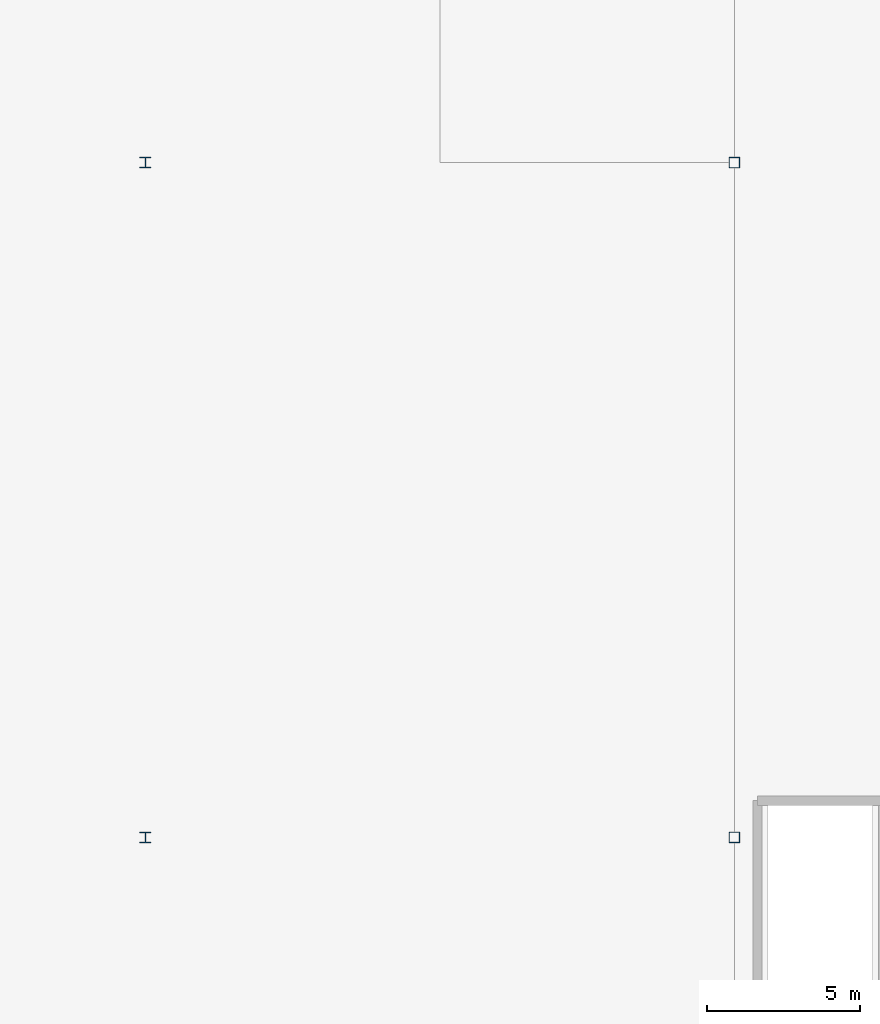
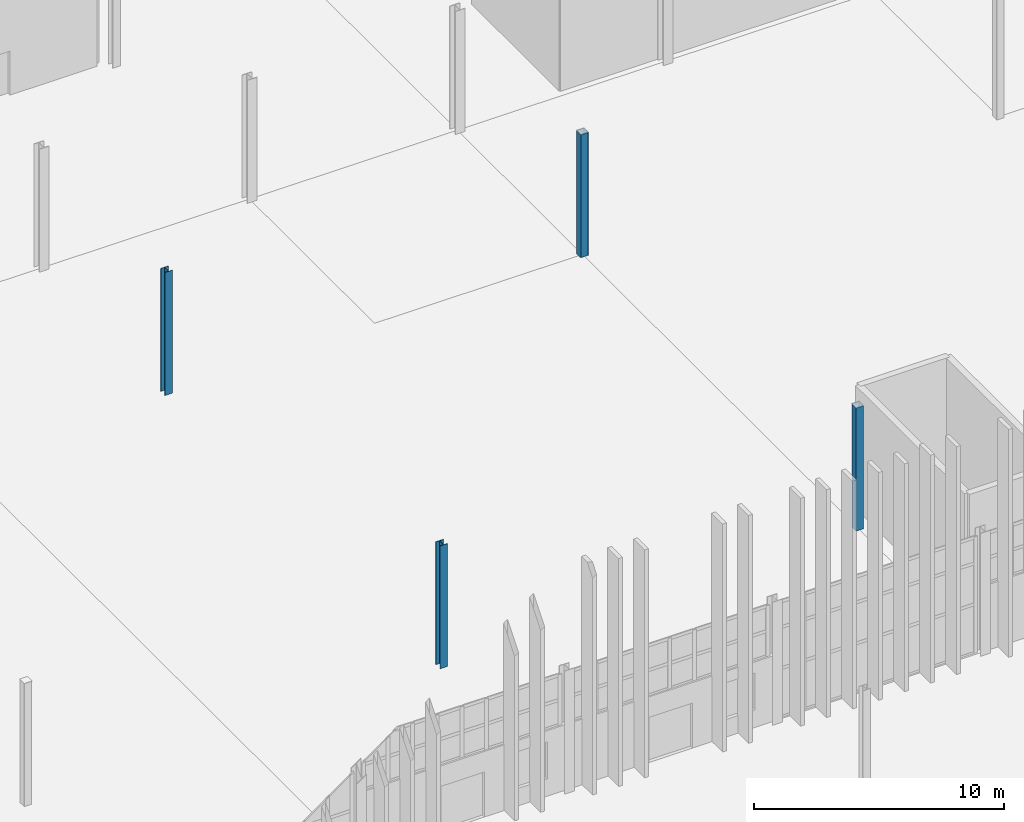
# One storey, part 12 of 139: 4 columns.
"""IFC4 building model written with IfcOpenShell, lengths in metres."""

from ifc_helpers import new_model, si_unit, direction, frame, origin, origin_2d, place, context, subcontext, project, spatial, hollow_rectangle, i_section, extrude, material, material_profile, profile_set, type_object, element, save


model = new_model("IFC4")

# Units and contexts
model_context = context("Model", 3, precision=1e-05, world=origin(), true_north=direction((0.0, 1.0)))
body_context = subcontext(model_context, "Body", "Model", "MODEL_VIEW")
ifc_project = project(units=[si_unit("LENGTHUNIT", "METRE"), si_unit("AREAUNIT", "SQUARE_METRE"), si_unit("VOLUMEUNIT", "CUBIC_METRE"), si_unit("PLANEANGLEUNIT", "RADIAN"), si_unit("MASSUNIT", "GRAM", prefix="KILO")], contexts=[model_context])

# Site, building, storey
site_placement = place(None, origin())
site = spatial("IfcSite", under=ifc_project, at=site_placement, CompositionType="ELEMENT")
building_placement = place(site_placement, origin())
building = spatial("IfcBuilding", under=site, at=building_placement, Name="Yeouljin Market Hall", CompositionType="ELEMENT")
storey_placement = place(building_placement, origin())
storey = spatial("IfcBuildingStorey", under=building, at=storey_placement, Name="L00", CompositionType="ELEMENT", Elevation=0.0)

# Columns
ifc_material_1 = material(Name="Steel SM355", Category="steel")
ifc_material_profile_1 = material_profile(ifc_material_1, i_section(OverallWidth=0.35009765625, OverallDepth=0.35009765625, WebThickness=0.011962890625, FlangeThickness=0.01904296875, FilletRadius=0.02001953125, at=origin_2d()), Name="H-350x350x12x19")
ifc_profile_set_1 = profile_set([ifc_material_profile_1], Name="Steel SM355")
column_type_1 = type_object("IfcColumnType", Name="Col_H-350x350x12x19", PredefinedType="COLUMN", material=ifc_profile_set_1)
for number, where, z_axis, x_axis, name in (
    (1, (64.199951171875, 46.0, 0.0), (0.0, 0.0, 1.0), (1.0, 0.0, 0.0), "Column G-08-05 (L00)"),
    (2, (64.199951171875, 68.0, 0.0), (0.0, 0.0, 1.0), (1.0, 0.0, 0.0), "Column G-08-07 (L00)"),
):
    element("IfcColumn", number, at=place(storey_placement, frame(where, z_axis=z_axis, x_axis=x_axis)), inside=storey, type_object=column_type_1, Name=name, PredefinedType="COLUMN", context=body_context, shape_type="SweptSolid", body=[
        extrude(i_section(OverallWidth=0.35009765625, OverallDepth=0.35009765625, WebThickness=0.011962890625, FlangeThickness=0.01904296875, FilletRadius=0.02001953125, at=origin_2d()), origin(), (0.0, 0.0, 1.0), 6.0),
    ])
ifc_material_2 = material(Name="Steel SM355", Category="steel")
ifc_material_profile_2 = material_profile(ifc_material_2, hollow_rectangle(XDim=0.35009765625, YDim=0.35009765625, WallThickness=0.011962890625, InnerFilletRadius=0.011962890625, OuterFilletRadius=0.01611328125, at=origin_2d()), Name="SHS-350x350x12")
ifc_profile_set_2 = profile_set([ifc_material_profile_2], Name="Steel SM355")
column_type_2 = type_object("IfcColumnType", Name="Col_SHS-350x350x12", PredefinedType="COLUMN", material=ifc_profile_set_2)
for number, where, z_axis, x_axis, name in (
    (3, (83.39990234375, 46.0, 0.0), (0.0, 0.0, 1.0), (1.0, 0.0, 0.0), "Column G-10-05 (L00)"),
    (4, (83.39990234375, 68.0, 0.0), (0.0, 0.0, 1.0), (1.0, 0.0, 0.0), "Column G-10-07 (L00)"),
):
    element("IfcColumn", number, at=place(storey_placement, frame(where, z_axis=z_axis, x_axis=x_axis)), inside=storey, type_object=column_type_2, Name=name, PredefinedType="COLUMN", context=body_context, shape_type="SweptSolid", body=[
        extrude(hollow_rectangle(XDim=0.35009765625, YDim=0.35009765625, WallThickness=0.011962890625, InnerFilletRadius=0.011962890625, OuterFilletRadius=0.01611328125, at=origin_2d()), origin(), (0.0, 0.0, 1.0), 6.0),
    ])

save(model, "model.ifc")
